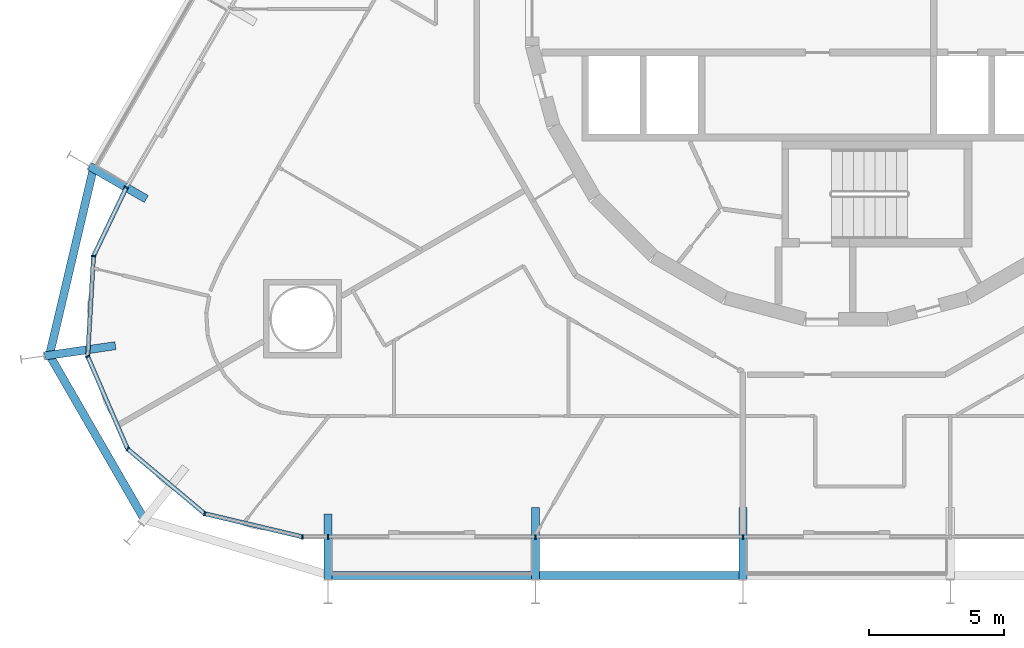
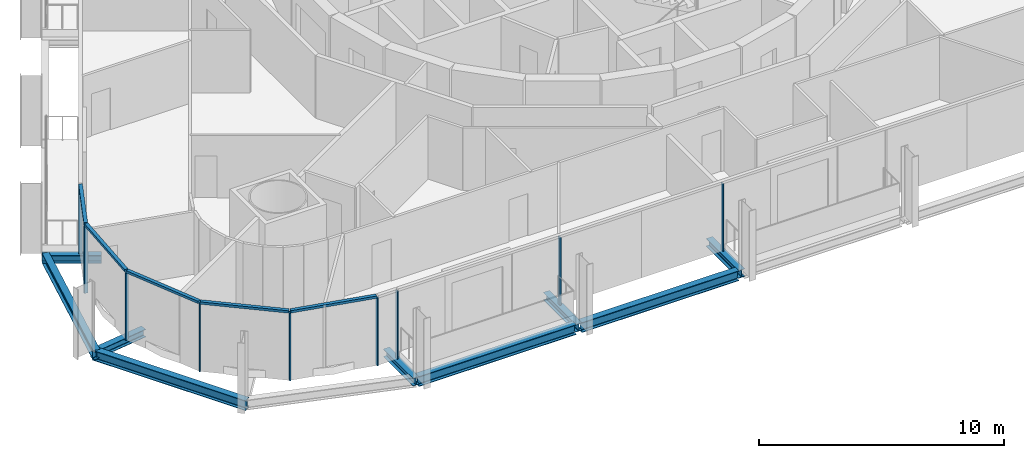
# One storey, part 3 of 20: 14 members, 9 beams, 2 elements without a shape of their own.
"""IFC4 building model written with IfcOpenShell, lengths in metres."""

from ifc_helpers import new_model, si_unit, direction, frame, origin, origin_2d, place, context, subcontext, project, spatial, rectangle, i_section, extrude, material, layer, layer_set, material_profile, profile_set, type_object, element, aggregate, save


model = new_model("IFC4")

# Units and contexts
model_context = context("Model", 3, precision=1e-05, world=origin(), true_north=direction((0.0, 1.0)))
body_context = subcontext(model_context, "Body", "Model", "MODEL_VIEW")
ifc_project = project(units=[si_unit("LENGTHUNIT", "METRE"), si_unit("AREAUNIT", "SQUARE_METRE"), si_unit("VOLUMEUNIT", "CUBIC_METRE"), si_unit("PLANEANGLEUNIT", "RADIAN"), si_unit("MASSUNIT", "GRAM", prefix="KILO")], contexts=[model_context])

# Site, building, storey
site_placement = place(None, origin())
site = spatial("IfcSite", under=ifc_project, at=site_placement, CompositionType="ELEMENT")
building_placement = place(site_placement, origin())
building = spatial("IfcBuilding", under=site, at=building_placement, Name="Spindle Arch Residences", CompositionType="ELEMENT")
storey_placement = place(building_placement, frame((0.0, 0.0, 41.89990234375)))
storey = spatial("IfcBuildingStorey", under=building, at=storey_placement, Name="L08", CompositionType="ELEMENT", Elevation=41.89990234375)

# Curtain wall, members
ifc_material_1 = material(Name="Aluminium bronze unitised frame with tinted glass", Category="aluminium")
ifc_layer_1 = layer(ifc_material_1, 0.159912109375)
ifc_layer_set_1 = layer_set([ifc_layer_1], Name="CW-D corner wall on the fillet arcs")
curtain_wall_type_1 = type_object("IfcCurtainWallType", Name="CW-D corner wall on the fillet arcs", PredefinedType="NOTDEFINED", material=ifc_layer_set_1)
curtain_wall_1_placement = place(storey_placement, origin())
curtain_wall_1 = element("IfcCurtainWall", 1, at=curtain_wall_1_placement, inside=storey, type_object=curtain_wall_type_1, Name="CW-D L08 run 5", PredefinedType="NOTDEFINED")
ifc_material_2 = material(Name="Aluminium bronze anodised mullion", Category="aluminium")
ifc_material_profile_1 = material_profile(ifc_material_2, rectangle(XDim=0.159912109375, YDim=0.06005859375, at=origin_2d()), Name="MU 60x160")
ifc_profile_set_1 = profile_set([ifc_material_profile_1], Name="Aluminium bronze anodised mullion")
member_type_1 = type_object("IfcMemberType", Name="Bronze mullion 60x160", PredefinedType="MULLION", material=ifc_profile_set_1)
member_1_placement = place(storey_placement, frame((-26.66943359375, -6.77294921875, -0.3798828125), z_axis=(0.0, 0.0, 1.0), x_axis=(0.902111889092, -0.431502189519, 0.0)))
member_1 = element("IfcMember", 2, at=member_1_placement, type_object=member_type_1, Name="CW-D mullion 00", PredefinedType="MULLION", context=body_context, shape_type="SweptSolid", body=[
    extrude(rectangle(XDim=0.159912109375, YDim=0.06005859375, at=origin_2d()), origin(), (0.0, 0.0, 1.0), 3.3798828125),
])
member_2_placement = place(storey_placement, frame((-27.884033203125, -9.3125, -0.3798828125), z_axis=(0.0, 0.0, 1.0), x_axis=(0.99830815821, -0.058144829968, 0.0)))
member_2 = element("IfcMember", 3, at=member_2_placement, type_object=member_type_1, Name="CW-D mullion 01", PredefinedType="MULLION", context=body_context, shape_type="SweptSolid", body=[
    extrude(rectangle(XDim=0.159912109375, YDim=0.06005859375, at=origin_2d()), origin(), (0.0, 0.0, 1.0), 3.3798828125),
])
member_3_placement = place(storey_placement, frame((-28.100830078125, -13.032958984375, -0.3798828125), z_axis=(0.0, 0.0, 1.0), x_axis=(0.918216106599, 0.396079766691, 0.0)))
member_3 = element("IfcMember", 4, at=member_3_placement, type_object=member_type_1, Name="CW-D mullion 02", PredefinedType="MULLION", context=body_context, shape_type="SweptSolid", body=[
    extrude(rectangle(XDim=0.159912109375, YDim=0.06005859375, at=origin_2d()), origin(), (0.0, 0.0, 1.0), 3.3798828125),
])
member_4_placement = place(storey_placement, frame((-26.624755859375, -16.454833984375, -0.3798828125), z_axis=(0.0, 0.0, 1.0), x_axis=(0.64278760716, 0.766044445239, 0.0)))
member_4 = element("IfcMember", 5, at=member_4_placement, type_object=member_type_1, Name="CW-D mullion 03", PredefinedType="MULLION", context=body_context, shape_type="SweptSolid", body=[
    extrude(rectangle(XDim=0.159912109375, YDim=0.06005859375, at=origin_2d()), origin(), (0.0, 0.0, 1.0), 3.3798828125),
])
member_5_placement = place(storey_placement, frame((-23.769775390625, -18.850341796875, -0.3798828125), z_axis=(0.0, 0.0, 1.0), x_axis=(0.230615868852, 0.973044871028, 0.0)))
member_5 = element("IfcMember", 6, at=member_5_placement, type_object=member_type_1, Name="CW-D mullion 04", PredefinedType="MULLION", context=body_context, shape_type="SweptSolid", body=[
    extrude(rectangle(XDim=0.159912109375, YDim=0.06005859375, at=origin_2d()), origin(), (0.0, 0.0, 1.0), 3.3798828125),
])
member_6_placement = place(storey_placement, frame((-20.1435546875, -19.7099609375, -0.3798828125), z_axis=(0.0, 0.0, 1.0), x_axis=(0.0, 1.0, 0.0)))
member_6 = element("IfcMember", 7, at=member_6_placement, type_object=member_type_1, Name="CW-D mullion 05", PredefinedType="MULLION", context=body_context, shape_type="SweptSolid", body=[
    extrude(rectangle(XDim=0.159912109375, YDim=0.06005859375, at=origin_2d()), origin(), (0.0, 0.0, 1.0), 3.3798828125),
])

ifc_material_3 = material(Name="Aluminium bronze unitised frame with tinted glass", Category="aluminium")
ifc_layer_2 = layer(ifc_material_3, 0.159912109375)
ifc_layer_set_2 = layer_set([ifc_layer_2], Name="CW-C typical residential unitised wall")
curtain_wall_type_2 = type_object("IfcCurtainWallType", Name="CW-C typical residential unitised wall", PredefinedType="NOTDEFINED", material=ifc_layer_set_2)
curtain_wall_2_placement = place(storey_placement, origin())
curtain_wall_2 = element("IfcCurtainWall", 8, at=curtain_wall_2_placement, inside=storey, type_object=curtain_wall_type_2, Name="CW-C L08 run 6", PredefinedType="NOTDEFINED")
member_7_placement = place(storey_placement, frame((-19.2001953125, -19.7099609375, -0.3798828125), z_axis=(0.0, 0.0, 1.0), x_axis=(0.0, 1.0, 0.0)))
member_7 = element("IfcMember", 9, at=member_7_placement, type_object=member_type_1, Name="CW-C mullion 21", PredefinedType="MULLION", context=body_context, shape_type="SweptSolid", body=[
    extrude(rectangle(XDim=0.159912109375, YDim=0.06005859375, at=origin_2d()), origin(), (0.0, 0.0, 1.0), 3.3798828125),
])
member_8_placement = place(storey_placement, frame((-11.52001953125, -19.7099609375, -0.3798828125), z_axis=(0.0, 0.0, 1.0), x_axis=(0.0, 1.0, 0.0)))
member_8 = element("IfcMember", 10, at=member_8_placement, type_object=member_type_1, Name="CW-C mullion 22", PredefinedType="MULLION", context=body_context, shape_type="SweptSolid", body=[
    extrude(rectangle(XDim=0.159912109375, YDim=0.06005859375, at=origin_2d()), origin(), (0.0, 0.0, 1.0), 3.3798828125),
])
member_9_placement = place(storey_placement, frame((-3.840087890625, -19.7099609375, -0.3798828125), z_axis=(0.0, 0.0, 1.0), x_axis=(0.0, 1.0, 0.0)))
member_9 = element("IfcMember", 11, at=member_9_placement, type_object=member_type_1, Name="CW-C mullion 23", PredefinedType="MULLION", context=body_context, shape_type="SweptSolid", body=[
    extrude(rectangle(XDim=0.159912109375, YDim=0.06005859375, at=origin_2d()), origin(), (0.0, 0.0, 1.0), 3.3798828125),
])
aggregate(curtain_wall_2, [member_7, member_8, member_9])

# Member
ifc_material_4 = material(Name="Aluminium bronze anodised transom", Category="aluminium")
ifc_material_profile_2 = material_profile(ifc_material_4, rectangle(XDim=0.159912109375, YDim=0.1201171875, at=origin_2d()), Name="TR 120x160")
ifc_profile_set_2 = profile_set([ifc_material_profile_2], Name="Aluminium bronze anodised transom")
member_type_2 = type_object("IfcMemberType", Name="Bronze transom 120x160", PredefinedType="USERDEFINED", material=ifc_profile_set_2)
member_10_placement = place(storey_placement, frame((-26.682373046875, -6.800048828125, 3.06005859375), z_axis=(-0.43147744699, -0.902123723631, 0.0), x_axis=(0.902123723631, -0.43147744699, 0.0)))
member_10 = element("IfcMember", 12, at=member_10_placement, type_object=member_type_2, Name="CW-D transom 00", ObjectType="TRANSOM", PredefinedType="USERDEFINED", context=body_context, shape_type="SweptSolid", body=[
    extrude(rectangle(XDim=0.159912109375, YDim=0.1201171875, at=origin_2d()), origin(), (0.0, 0.0, 1.0), 2.7548828125),
])

member_11_placement = place(storey_placement, frame((-27.885986328125, -9.342529296875, 3.06005859375), z_axis=(-0.058128716156, -0.998309096602, 0.0), x_axis=(0.998309096602, -0.058128716156, 0.0)))
member_11 = element("IfcMember", 13, at=member_11_placement, type_object=member_type_2, Name="CW-D transom 01", ObjectType="TRANSOM", PredefinedType="USERDEFINED", context=body_context, shape_type="SweptSolid", body=[
    extrude(rectangle(XDim=0.159912109375, YDim=0.1201171875, at=origin_2d()), origin(), (0.0, 0.0, 1.0), 3.66650390625),
])

member_12_placement = place(storey_placement, frame((-28.0888671875, -13.060546875, 3.06005859375), z_axis=(0.39603167212, -0.918236851078, 0.0), x_axis=(0.918236851078, 0.39603167212, 0.0)))
member_12 = element("IfcMember", 14, at=member_12_placement, type_object=member_type_2, Name="CW-D transom 02", ObjectType="TRANSOM", PredefinedType="USERDEFINED", context=body_context, shape_type="SweptSolid", body=[
    extrude(rectangle(XDim=0.159912109375, YDim=0.1201171875, at=origin_2d()), origin(), (0.0, 0.0, 1.0), 3.666748046875),
])

member_13_placement = place(storey_placement, frame((-26.601806640625, -16.47412109375, 3.06005859375), z_axis=(0.766006453075, -0.642832881741, 0.0), x_axis=(0.642832881741, 0.766006453075, 0.0)))
member_13 = element("IfcMember", 15, at=member_13_placement, type_object=member_type_2, Name="CW-D transom 03", ObjectType="TRANSOM", PredefinedType="USERDEFINED", context=body_context, shape_type="SweptSolid", body=[
    extrude(rectangle(XDim=0.159912109375, YDim=0.1201171875, at=origin_2d()), origin(), (0.0, 0.0, 1.0), 3.666748046875),
])

member_14_placement = place(storey_placement, frame((-23.74072265625, -18.857421875, 3.06005859375), z_axis=(0.973053560164, -0.230579203425, 0.0), x_axis=(0.230579203425, 0.973053560164, 0.0)))
member_14 = element("IfcMember", 16, at=member_14_placement, type_object=member_type_2, Name="CW-D transom 04", ObjectType="TRANSOM", PredefinedType="USERDEFINED", context=body_context, shape_type="SweptSolid", body=[
    extrude(rectangle(XDim=0.159912109375, YDim=0.1201171875, at=origin_2d()), origin(), (0.0, 0.0, 1.0), 3.666748046875),
])

aggregate(curtain_wall_1, [member_1, member_10, member_2, member_11, member_3, member_12, member_4, member_13, member_5, member_14, member_6])

# Beams
ifc_material_5 = material(Name="Steel S460ML, intumescent coating R 120", Category="steel")
ifc_material_profile_3 = material_profile(ifc_material_5, i_section(OverallWidth=0.300048828125, OverallDepth=0.5, WebThickness=0.014404296875, FlangeThickness=0.028076171875, FilletRadius=0.027099609375, at=origin_2d()), Name="HEB 500")
ifc_profile_set_3 = profile_set([ifc_material_profile_3], Name="Steel S460ML, intumescent coating R 120")
beam_type_1 = type_object("IfcBeamType", Name="Exoskeleton edge beam HEB 500", PredefinedType="BEAM", material=ifc_profile_set_3)
beam_1_placement = place(storey_placement, frame((-27.8720703125, -6.00048828125, -0.6298828125), z_axis=(-0.229185730541, -0.973382710406, 0.0), x_axis=(0.973382710406, -0.229185730541, 0.0)))
element("IfcBeam", 17, at=beam_1_placement, inside=storey, type_object=beam_type_1, Name="Exoskeleton edge beam 19", PredefinedType="BEAM", context=body_context, shape_type="SweptSolid", body=[
    extrude(i_section(OverallWidth=0.300048828125, OverallDepth=0.5, WebThickness=0.014404296875, FlangeThickness=0.028076171875, FilletRadius=0.027099609375, at=origin_2d()), origin(), (0.0, 0.0, 1.0), 7.25),
])
beam_2_placement = place(storey_placement, frame((-29.56640625, -12.892333984375, -0.6298828125), z_axis=(0.499999897272, -0.866025463095, 0.0), x_axis=(0.866025463095, 0.499999897272, 0.0)))
element("IfcBeam", 18, at=beam_2_placement, inside=storey, type_object=beam_type_1, Name="Exoskeleton edge beam 20", PredefinedType="BEAM", context=body_context, shape_type="SweptSolid", body=[
    extrude(i_section(OverallWidth=0.300048828125, OverallDepth=0.5, WebThickness=0.014404296875, FlangeThickness=0.028076171875, FilletRadius=0.027099609375, at=origin_2d()), origin(), (0.0, 0.0, 1.0), 7.236328125),
])
for number, where, z_axis, x_axis, name in (
    (19, (-19.0703125, -21.142822265625, -0.6298828125), (1.0, 0.0, 0.0), (0.0, 1.0, 0.0), "Exoskeleton edge beam 22"),
    (20, (-11.39013671875, -21.142822265625, -0.6298828125), (1.0, 0.0, 0.0), (0.0, 1.0, 0.0), "Exoskeleton edge beam 23"),
):
    element("IfcBeam", number, at=place(storey_placement, frame(where, z_axis=z_axis, x_axis=x_axis)), inside=storey, type_object=beam_type_1, Name=name, PredefinedType="BEAM", context=body_context, shape_type="SweptSolid", body=[
        extrude(i_section(OverallWidth=0.300048828125, OverallDepth=0.5, WebThickness=0.014404296875, FlangeThickness=0.028076171875, FilletRadius=0.027099609375, at=origin_2d()), origin(), (0.0, 0.0, 1.0), 7.420166015625),
    ])
ifc_material_6 = material(Name="Steel S460ML, intumescent coating R 120", Category="steel")
ifc_material_profile_4 = material_profile(ifc_material_6, i_section(OverallWidth=0.300048828125, OverallDepth=0.389892578125, WebThickness=0.010986328125, FlangeThickness=0.01904296875, FilletRadius=0.027099609375, at=origin_2d()), Name="HEA 400")
ifc_profile_set_4 = profile_set([ifc_material_profile_4], Name="Steel S460ML, intumescent coating R 120")
beam_type_2 = type_object("IfcBeamType", Name="Floor outrigger HEA 400", PredefinedType="BEAM", material=ifc_profile_set_4)
beam_3_placement = place(storey_placement, frame((-28.029052734375, -5.98779296875, -0.574951171875), z_axis=(0.866002732682, -0.500039265445, 0.0), x_axis=(0.500039265445, 0.866002732682, 0.0)))
element("IfcBeam", 21, at=beam_3_placement, inside=storey, type_object=beam_type_2, Name="Floor outrigger 19", PredefinedType="BEAM", context=body_context, shape_type="SweptSolid", body=[
    extrude(i_section(OverallWidth=0.300048828125, OverallDepth=0.389892578125, WebThickness=0.010986328125, FlangeThickness=0.01904296875, FilletRadius=0.027099609375, at=origin_2d()), origin(), (0.0, 0.0, 1.0), 2.423583984375),
])
beam_4_placement = place(storey_placement, frame((-29.694580078125, -13.009033203125, -0.574951171875), z_axis=(0.989738348309, 0.142891573883, 0.0), x_axis=(-0.142891573883, 0.989738348309, 0.0)))
element("IfcBeam", 22, at=beam_4_placement, inside=storey, type_object=beam_type_2, Name="Floor outrigger 20", PredefinedType="BEAM", context=body_context, shape_type="SweptSolid", body=[
    extrude(i_section(OverallWidth=0.300048828125, OverallDepth=0.389892578125, WebThickness=0.010986328125, FlangeThickness=0.01904296875, FilletRadius=0.027099609375, at=origin_2d()), origin(), (0.0, 0.0, 1.0), 2.64990234375),
])
beam_5_placement = place(storey_placement, frame((-19.2001953125, -21.27978515625, -0.574951171875), z_axis=(0.0, 1.0, 0.0), x_axis=(-1.0, 0.0, 0.0)))
element("IfcBeam", 23, at=beam_5_placement, inside=storey, type_object=beam_type_2, Name="Floor outrigger 22", PredefinedType="BEAM", context=body_context, shape_type="SweptSolid", body=[
    extrude(i_section(OverallWidth=0.300048828125, OverallDepth=0.389892578125, WebThickness=0.010986328125, FlangeThickness=0.01904296875, FilletRadius=0.027099609375, at=origin_2d()), origin(), (0.0, 0.0, 1.0), 2.42333984375),
])
for number, where, z_axis, x_axis, name in (
    (24, (-11.52001953125, -21.27978515625, -0.574951171875), (0.0, 1.0, 0.0), (-1.0, 0.0, 0.0), "Floor outrigger 23"),
    (25, (-3.840087890625, -21.27978515625, -0.574951171875), (0.0, 1.0, 0.0), (-1.0, 0.0, 0.0), "Floor outrigger 24"),
):
    element("IfcBeam", number, at=place(storey_placement, frame(where, z_axis=z_axis, x_axis=x_axis)), inside=storey, type_object=beam_type_2, Name=name, PredefinedType="BEAM", context=body_context, shape_type="SweptSolid", body=[
        extrude(i_section(OverallWidth=0.300048828125, OverallDepth=0.389892578125, WebThickness=0.010986328125, FlangeThickness=0.01904296875, FilletRadius=0.027099609375, at=origin_2d()), origin(), (0.0, 0.0, 1.0), 2.64990234375),
    ])

save(model, "model.ifc")
